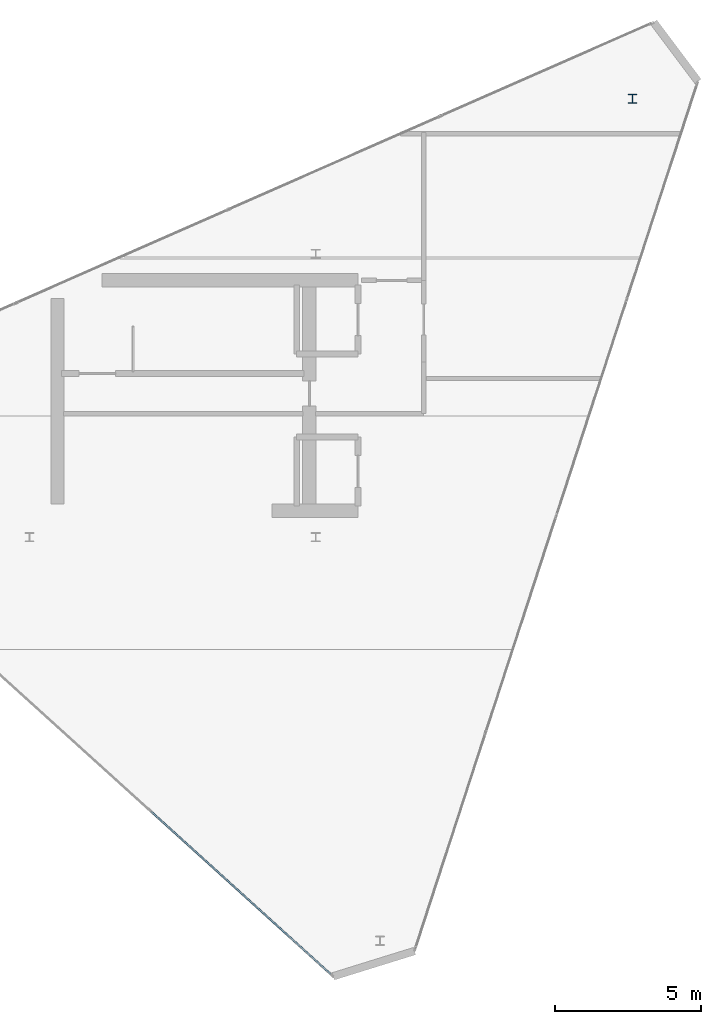
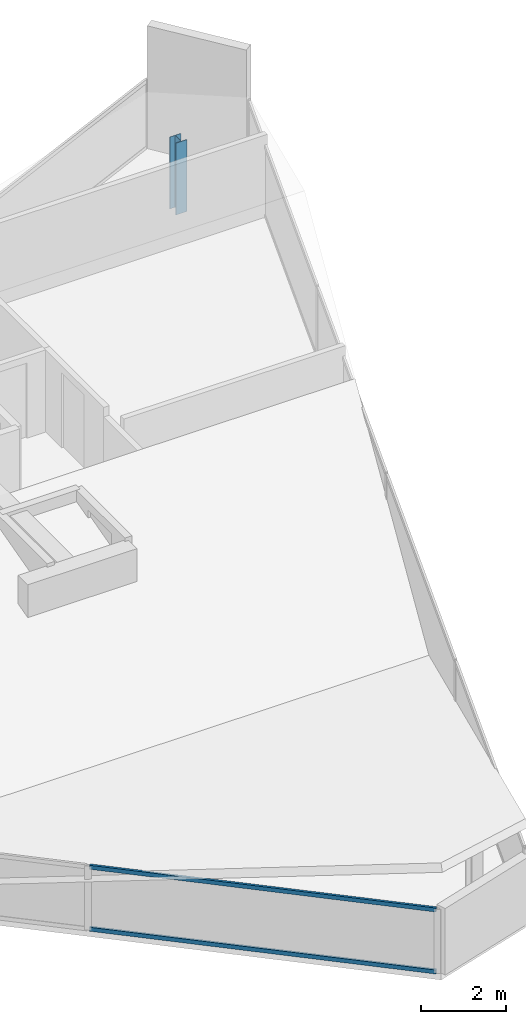
# One storey, part 2 of 13: 2 members, 1 column, 1 element without a shape of its own.
"""IFC4 building model written with IfcOpenShell, lengths in metres."""

from ifc_helpers import new_model, si_unit, direction, frame, origin, origin_2d, place, context, subcontext, project, spatial, hollow_rectangle, i_section, extrude, material, layer, layer_set, material_profile, profile_set, type_object, element, aggregate, save


model = new_model("IFC4")

# Units and contexts
model_context = context("Model", 3, precision=1e-05, world=origin(), true_north=direction((0.0, 1.0)))
body_context = subcontext(model_context, "Body", "Model", "MODEL_VIEW")
ifc_project = project(units=[si_unit("LENGTHUNIT", "METRE"), si_unit("AREAUNIT", "SQUARE_METRE"), si_unit("VOLUMEUNIT", "CUBIC_METRE"), si_unit("PLANEANGLEUNIT", "RADIAN"), si_unit("MASSUNIT", "GRAM", prefix="KILO")], contexts=[model_context])

# Site, building, storey
site_placement = place(None, origin())
site = spatial("IfcSite", under=ifc_project, at=site_placement, CompositionType="ELEMENT")
building_placement = place(site_placement, origin())
building = spatial("IfcBuilding", under=site, at=building_placement, Name="Qianvela Tower", CompositionType="ELEMENT")
storey_placement = place(building_placement, frame((0.0, 0.0, 375.050048828125)))
storey = spatial("IfcBuildingStorey", under=building, at=storey_placement, Name="L97", CompositionType="ELEMENT", Elevation=375.050048828125)

# Column
ifc_material_1 = material(Name="Steel Q355B", Category="steel")
ifc_material_profile_1 = material_profile(ifc_material_1, i_section(OverallWidth=0.300048828125, OverallDepth=0.300048828125, WebThickness=0.010009765625, FlangeThickness=0.014892578125, at=origin_2d()), Name="HW300x300x10x15")
ifc_profile_set_1 = profile_set([ifc_material_profile_1], Name="Steel Q355B")
column_type = type_object("IfcColumnType", Name="COL-HW-300", PredefinedType="COLUMN", material=ifc_profile_set_1)
column_placement = place(storey_placement, frame((49.248046875, 38.866943359375, 0.0), z_axis=(0.0, 0.0, 1.0), x_axis=(1.0, 0.0, 0.0)))
element("IfcColumn", 1, at=column_placement, inside=storey, type_object=column_type, Name="L97 Crown Frame Column CR1", PredefinedType="COLUMN", context=body_context, shape_type="SweptSolid", body=[
    extrude(i_section(OverallWidth=0.300048828125, OverallDepth=0.300048828125, WebThickness=0.010009765625, FlangeThickness=0.014892578125, at=origin_2d()), origin(), (0.0, 0.0, 1.0), 2.054443359375),
])

# Curtain wall, members
ifc_material_2 = material(Name="Anodised Architectural Aluminium and Low-E Glass", Category="aluminium")
ifc_layer = layer(ifc_material_2, 0.159912109375)
ifc_layer_set = layer_set([ifc_layer], Name="Anodised Architectural Aluminium and Low-E Glass")
curtain_wall_type = type_object("IfcCurtainWallType", Name="CW-CROWN", PredefinedType="USERDEFINED", material=ifc_layer_set)
curtain_wall_placement = place(storey_placement, origin())
curtain_wall = element("IfcCurtainWall", 2, at=curtain_wall_placement, inside=storey, type_object=curtain_wall_type, Name="L97 CW-CROWN Curtain Wall 04", ObjectType="CURTAIN_WALL_SYSTEM", PredefinedType="USERDEFINED")
ifc_material_3 = material(Name="Anodised Architectural Aluminium 6063-T6", Category="aluminium")
ifc_material_profile_2 = material_profile(ifc_material_3, hollow_rectangle(XDim=0.06005859375, YDim=0.114990234375, WallThickness=0.00390625, at=origin_2d()), Name="ALU-TRAN-60x115")
ifc_profile_set_2 = profile_set([ifc_material_profile_2], Name="Anodised Architectural Aluminium 6063-T6")
member_type = type_object("IfcMemberType", Name="CW-CROWN-TRAN", PredefinedType="USERDEFINED", material=ifc_profile_set_2)
member_1_placement = place(storey_placement, frame((32.759033203125, 14.45703125, 0.030029296875), z_axis=(0.741267572729, -0.67120964357, 0.0), x_axis=(0.67120964357, 0.741267572729, 0.0)))
member_1 = element("IfcMember", 3, at=member_1_placement, type_object=member_type, Name="CW-8 transom 3.1", ObjectType="TRANSOM", PredefinedType="USERDEFINED", context=body_context, shape_type="SweptSolid", body=[
    extrude(hollow_rectangle(XDim=0.06005859375, YDim=0.114990234375, WallThickness=0.00390625, at=origin_2d()), origin(), (0.0, 0.0, 1.0), 8.304443359375),
])
member_2_placement = place(storey_placement, frame((32.759033203125, 14.45703125, 1.8017578125), z_axis=(0.741267572729, -0.67120964357, 0.0), x_axis=(0.67120964357, 0.741267572729, 0.0)))
member_2 = element("IfcMember", 4, at=member_2_placement, type_object=member_type, Name="CW-8 transom 3.2", ObjectType="TRANSOM", PredefinedType="USERDEFINED", context=body_context, shape_type="SweptSolid", body=[
    extrude(hollow_rectangle(XDim=0.06005859375, YDim=0.114990234375, WallThickness=0.00390625, at=origin_2d()), origin(), (0.0, 0.0, 1.0), 8.304443359375),
])
aggregate(curtain_wall, [member_1, member_2])

save(model, "model.ifc")
